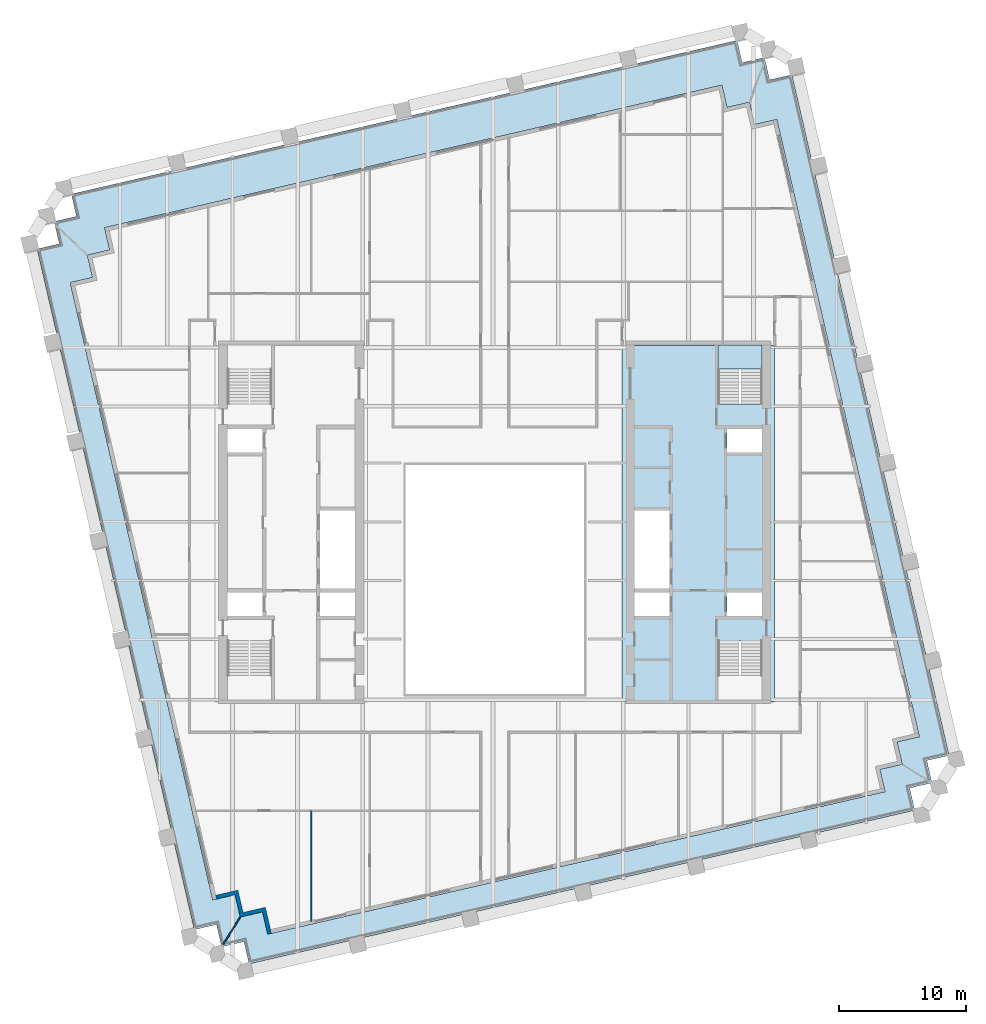
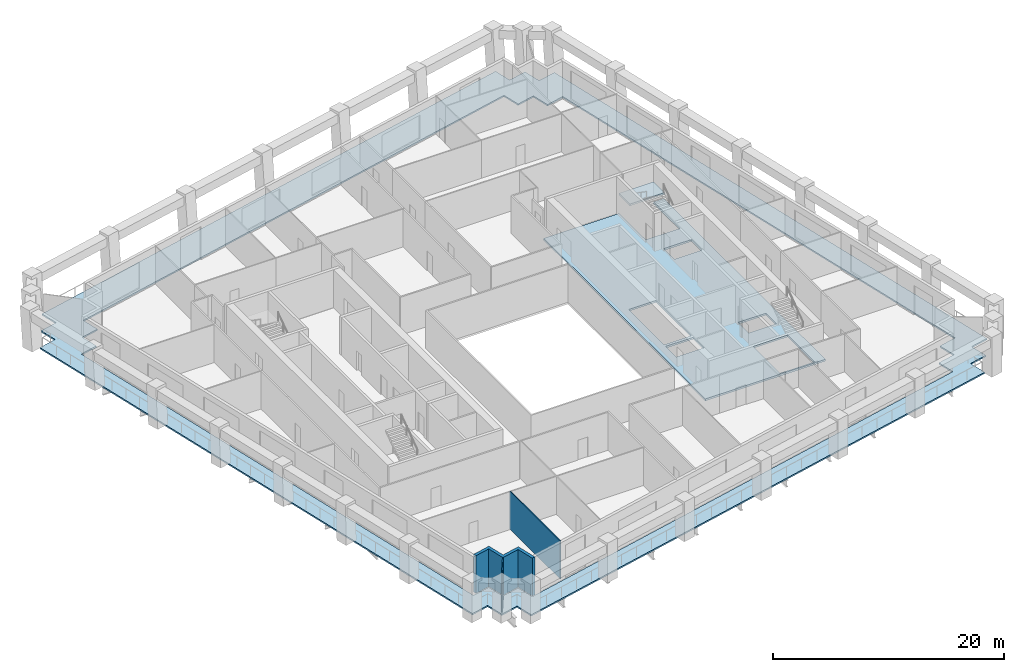
# One storey, part 3 of 10: 3 slabs, 3 walls, 1 element without a shape of its own.
"""IFC4 building model written with IfcOpenShell, lengths in metres."""

from ifc_helpers import new_model, si_unit, direction, frame, frame_2d, origin, place, context, subcontext, project, spatial, polyline, rectangle, outline, extrude, material, layer, layer_set, type_object, element, aggregate, save


model = new_model("IFC4")

# Units and contexts
model_context = context("Model", 3, precision=1e-05, world=origin(), true_north=direction((0.0, 1.0)))
body_context = subcontext(model_context, "Body", "Model", "MODEL_VIEW")
ifc_project = project(units=[si_unit("LENGTHUNIT", "METRE"), si_unit("AREAUNIT", "SQUARE_METRE"), si_unit("VOLUMEUNIT", "CUBIC_METRE"), si_unit("PLANEANGLEUNIT", "RADIAN"), si_unit("MASSUNIT", "GRAM", prefix="KILO")], contexts=[model_context])

# Site, building, storey
site_placement = place(None, origin())
site = spatial("IfcSite", under=ifc_project, at=site_placement, CompositionType="ELEMENT")
building_placement = place(site_placement, origin())
building = spatial("IfcBuilding", under=site, at=building_placement, Name="Ogive Exchange Tower", CompositionType="ELEMENT")
storey_placement = place(building_placement, frame((0.0, 0.0, 180.0)))
storey = spatial("IfcBuildingStorey", under=building, at=storey_placement, Name="L39", CompositionType="ELEMENT", Elevation=180.0)

# Slabs
ifc_material_1 = material(Name="Concrete C70/85", Category="concrete")
ifc_layer_1 = layer(ifc_material_1, 0.199951171875)
ifc_layer_set_1 = layer_set([ifc_layer_1], Name="Core floor slab 200")
slab_type_1 = type_object("IfcSlabType", Name="Core floor slab 200", PredefinedType="FLOOR", material=ifc_layer_set_1)
slab_1_placement = place(storey_placement, frame((0.0, 0.0, -0.199951171875)))
element("IfcSlab", 1, at=slab_1_placement, inside=storey, type_object=slab_type_1, Name="Core floor slab", PredefinedType="FLOOR", context=body_context, shape_type="SweptSolid", body=[
    extrude(outline(polyline([(22.0, 25.39990234375), (22.0, -2.60009765625), (10.0, -2.60009765625), (10.0, 25.39990234375), (17.550048828125, 25.39990234375), (17.550048828125, 20.803955078125), (21.0, 20.803955078125), (21.0, 25.39990234375), (22.0, 25.39990234375)]), holes=[polyline([(21.0, 2.196044921875), (17.550048828125, 2.196044921875), (17.550048828125, -2.449951171875), (21.0, -2.449951171875), (21.0, 2.196044921875)]), polyline([(13.75, 5.992919921875), (11.0, 5.992919921875), (11.0, 4.14990234375), (13.75, 4.14990234375), (13.75, 5.992919921875)]), polyline([(21.0, 5.992919921875), (18.25, 5.992919921875), (18.25, 4.14990234375), (21.0, 4.14990234375), (21.0, 5.992919921875)]), polyline([(11.0, 12.42138671875), (11.0, 6.29296875), (13.75, 6.29296875), (13.75, 12.42138671875), (11.0, 12.42138671875)]), polyline([(21.0, 18.85009765625), (18.25, 18.85009765625), (18.25, 17.007080078125), (21.0, 17.007080078125), (21.0, 18.85009765625)])]), origin(), (0.0, 0.0, 1.0), 0.199951171875),
])
ifc_material_2 = material(Name="Concrete C50/60", Category="concrete")
ifc_layer_2 = layer(ifc_material_2, 0.14990234375)
ifc_layer_set_2 = layer_set([ifc_layer_2], Name="Loggia deck 150")
slab_type_2 = type_object("IfcSlabType", Name="Loggia deck 150", PredefinedType="FLOOR", material=ifc_layer_set_2)
slab_2_placement = place(storey_placement, frame((0.0, 0.0, -0.199951171875)))
element("IfcSlab", 2, at=slab_2_placement, inside=storey, type_object=slab_type_2, Name="Loggia deck", PredefinedType="FLOOR", context=body_context, shape_type="SweptSolid", body=[
    extrude(outline(polyline([(-19.717041015625, -21.45556640625), (-21.470947265625, -21.860595703125), (-21.875732421875, -20.106689453125), (-23.629638671875, -20.51171875), (-35.981689453125, 32.9912109375), (-34.227783203125, 33.39599609375), (-34.6328125, 35.14990234375), (-32.87890625, 35.5546875), (-33.28369140625, 37.30859375), (19.039794921875, 49.388671875), (19.44482421875, 47.634765625), (21.198486328125, 48.03955078125), (21.603515625, 46.285888671875), (23.357421875, 46.690673828125), (35.70947265625, -6.81201171875), (33.95556640625, -7.217041015625), (34.360595703125, -8.970947265625), (32.606689453125, -9.375732421875), (33.01171875, -11.129638671875), (-19.31201171875, -23.20947265625), (-19.717041015625, -21.45556640625)]), holes=[polyline([(30.26806640625, -7.914306640625), (32.02197265625, -7.509521484375), (31.616943359375, -5.755615234375), (33.370849609375, -5.3505859375), (22.168212890625, 43.1728515625), (20.414306640625, 42.76806640625), (20.009521484375, 44.52197265625), (18.255615234375, 44.116943359375), (17.8505859375, 45.870849609375), (-30.6728515625, 34.668212890625), (-30.26806640625, 32.914306640625), (-32.02197265625, 32.509521484375), (-31.616943359375, 30.755615234375), (-33.370849609375, 30.3505859375), (-22.168212890625, -18.1728515625), (-20.414306640625, -17.76806640625), (-20.009521484375, -19.52197265625), (-18.255615234375, -19.116943359375), (-17.8505859375, -20.870849609375), (30.6728515625, -9.668212890625), (30.26806640625, -7.914306640625)])]), origin(), (0.0, 0.0, 1.0), 0.14990234375),
])

# Stair, slab
ifc_material_3 = material(Name="Concrete C40/50", Category="concrete")
stair_type = type_object("IfcStairType", Name="Exit stair 1650 wide", PredefinedType="HALF_TURN_STAIR", material=ifc_material_3)
stair_placement = place(storey_placement, origin())
stair = element("IfcStair", 3, at=stair_placement, inside=storey, type_object=stair_type, Name="L39 exit stair ST4", PredefinedType="HALF_TURN_STAIR")
ifc_layer_3 = layer(ifc_material_3, 0.199951171875)
ifc_layer_set_3 = layer_set([ifc_layer_3], Name="Stair landing 200 slab")
slab_type_3 = type_object("IfcSlabType", Name="Stair landing 200 slab", PredefinedType="LANDING", material=ifc_layer_set_3)
slab_3_placement = place(storey_placement, frame((0.0, 0.0, 1.89990234375)))
slab_3 = element("IfcSlab", 4, at=slab_3_placement, type_object=slab_type_3, Name="ST4 landing 1", PredefinedType="LANDING", context=body_context, shape_type="SweptSolid", body=[
    extrude(outline(polyline([(21.0, 23.550048828125), (21.0, 25.449951171875), (17.550048828125, 25.449951171875), (17.550048828125, 23.550048828125), (21.0, 23.550048828125)])), origin(), (0.0, 0.0, 1.0), 0.2001953125),
])
aggregate(stair, [slab_3])

# Walls
ifc_material_4 = material(Name="Precast concrete C40/50", Category="concrete")
ifc_layer_4 = layer(ifc_material_4, 0.300048828125)
ifc_layer_set_4 = layer_set([ifc_layer_4], Name="Limestone-faced wall 300")
wall_type_1 = type_object("IfcWallType", Name="Limestone-faced wall 300", PredefinedType="STANDARD", material=ifc_layer_set_4)
wall_1_placement = place(storey_placement, origin())
element("IfcWall", 5, at=wall_1_placement, inside=storey, type_object=wall_type_1, Name="External corner wall C4", PredefinedType="STANDARD", context=body_context, shape_type="SweptSolid", body=[
    extrude(outline(polyline([(-18.255615234375, -19.116943359375), (-20.009521484375, -19.52197265625), (-20.414306640625, -17.76806640625), (-21.8759765625, -18.10546875), (-21.943359375, -17.81298828125), (-20.189697265625, -17.408203125), (-19.78466796875, -19.162109375), (-18.03076171875, -18.757080078125), (-17.558349609375, -20.80322265625), (-17.8505859375, -20.870849609375), (-18.255615234375, -19.116943359375)])), origin(), (0.0, 0.0, 1.0), 4.0),
])
ifc_material_5 = material(Name="Laminated safety glass in steel frame", Category="steel")
ifc_layer_5 = layer(ifc_material_5, 0.10009765625)
ifc_layer_set_5 = layer_set([ifc_layer_5], Name="Loggia end screen 100")
wall_type_2 = type_object("IfcWallType", Name="Loggia end screen 100", PredefinedType="STANDARD", material=ifc_layer_set_5)
wall_2_placement = place(storey_placement, frame((-20.009521484375, -19.52197265625, -0.050048828125), z_axis=(0.0, 0.0, 1.0), x_axis=(-0.529920736377, -0.848047176257, 0.0)))
element("IfcWall", 6, at=wall_2_placement, inside=storey, type_object=wall_type_2, Name="Loggia end screen C4", PredefinedType="STANDARD", context=body_context, shape_type="SweptSolid", body=[
    extrude(rectangle(XDim=2.525634765625, YDim=0.10009765625, at=frame_2d((1.2626953125, 0.0))), origin(), (0.0, 0.0, 1.0), 4.050048828125),
])
ifc_material_6 = material(Name="Partition 100 gypsum")
ifc_layer_6 = layer(ifc_material_6, 0.10009765625)
ifc_layer_set_6 = layer_set([ifc_layer_6], Name="Partition 100 gypsum")
wall_type_3 = type_object("IfcWallType", Name="Partition 100 gypsum", PredefinedType="PARTITIONING", material=ifc_layer_set_6)
wall_3_placement = place(storey_placement, frame((-14.429931640625, -19.85595703125, 0.0), z_axis=(0.0, 0.0, 1.0), x_axis=(0.0, 1.0, 0.0)))
element("IfcWall", 7, at=wall_3_placement, inside=storey, type_object=wall_type_3, Name="L39-PWL-014", PredefinedType="PARTITIONING", context=body_context, shape_type="SweptSolid", body=[
    extrude(rectangle(XDim=8.73583984375, YDim=0.10009765625, at=frame_2d((4.367919921875, 0.0))), origin(), (0.0, 0.0, 1.0), 4.0),
])

save(model, "model.ifc")
